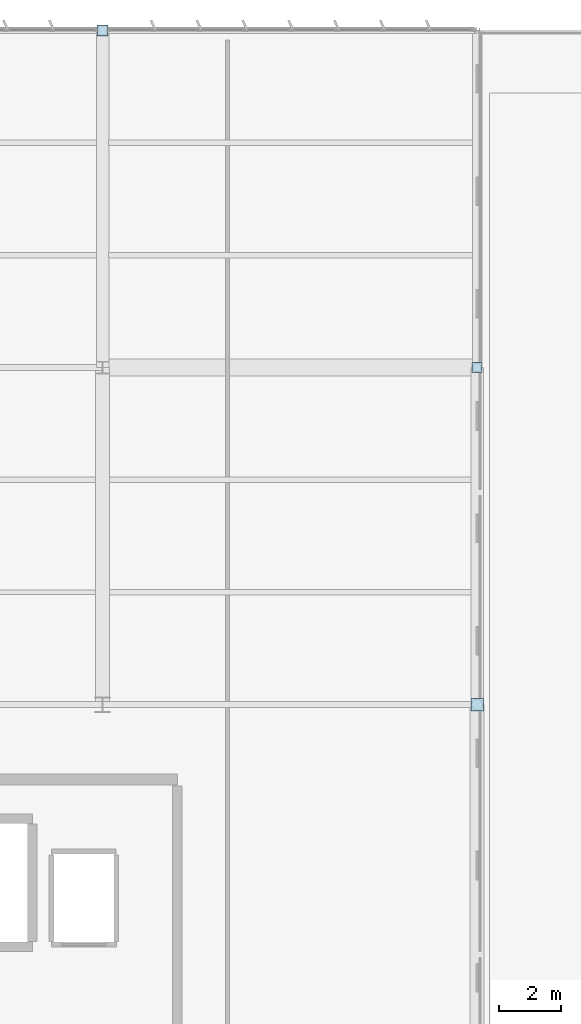
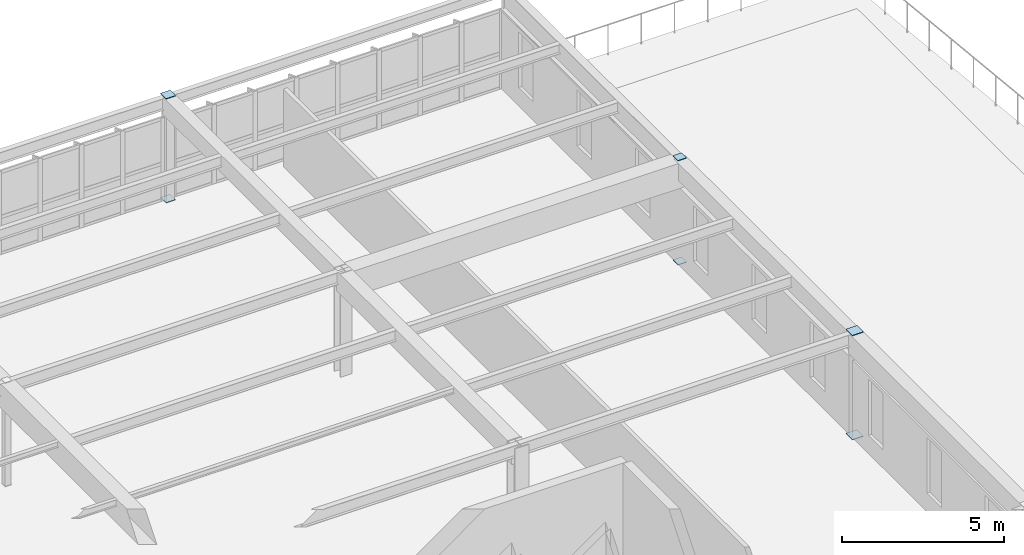
# One storey, part 100 of 128: 6 plates.
"""IFC4 building model written with IfcOpenShell, lengths in metres."""

from ifc_helpers import new_model, si_unit, direction, frame, origin, origin_2d, place, context, subcontext, project, spatial, rectangle, extrude, material, layer, layer_set, type_object, element, save


model = new_model("IFC4")

# Units and contexts
model_context = context("Model", 3, precision=1e-05, world=origin(), true_north=direction((0.0, 1.0)))
body_context = subcontext(model_context, "Body", "Model", "MODEL_VIEW")
ifc_project = project(units=[si_unit("LENGTHUNIT", "METRE"), si_unit("AREAUNIT", "SQUARE_METRE"), si_unit("VOLUMEUNIT", "CUBIC_METRE"), si_unit("PLANEANGLEUNIT", "RADIAN"), si_unit("MASSUNIT", "GRAM", prefix="KILO")], contexts=[model_context])

# Site, building, storey
site_placement = place(None, origin())
site = spatial("IfcSite", under=ifc_project, at=site_placement, CompositionType="ELEMENT")
building_placement = place(site_placement, origin())
building = spatial("IfcBuilding", under=site, at=building_placement, Name="Tarnwether General Hospital", CompositionType="ELEMENT")
storey_placement = place(building_placement, frame((0.0, 0.0, 14.39990234375)))
storey = spatial("IfcBuildingStorey", under=building, at=storey_placement, Name="L03", CompositionType="ELEMENT", Elevation=14.39990234375)

# Plates
ifc_material = material(Name="Steel Grade 350 (350 MPa)", Category="steel")
ifc_layer = layer(ifc_material, 0.02490234375)
ifc_layer_set = layer_set([ifc_layer], Name="Steel Grade 350 (350 MPa)")
plate_type = type_object("IfcPlateType", Name="PT-GUS2", PredefinedType="USERDEFINED", material=ifc_layer_set)
for number, where, z_axis, x_axis, name in (
    (1, (168.0, 126.0, -0.02490234375), (0.0, 0.0, 1.0), (1.0, 0.0, 0.0), "Hollow Section Welded End Cap Plate 0377"),
    (2, (168.0, 126.0, 3.900146484375), (0.0, 0.0, 1.0), (1.0, 0.0, 0.0), "Hollow Section Welded End Cap Plate 0378"),
):
    element("IfcPlate", number, at=place(storey_placement, frame(where, z_axis=z_axis, x_axis=x_axis)), inside=storey, type_object=plate_type, Name=name, ObjectType="GUSSET", PredefinedType="USERDEFINED", context=body_context, shape_type="SweptSolid", body=[
        extrude(rectangle(XDim=0.340087890625, YDim=0.340087890625, at=origin_2d()), origin(), (0.0, 0.0, 1.0), 0.02490234375),
    ])
for number, where, z_axis, x_axis, name in (
    (3, (180.0, 104.39990234375, -0.02490234375), (0.0, 0.0, 1.0), (1.0, 0.0, 0.0), "Hollow Section Welded End Cap Plate 0387"),
    (4, (180.0, 104.39990234375, 3.900146484375), (0.0, 0.0, 1.0), (1.0, 0.0, 0.0), "Hollow Section Welded End Cap Plate 0388"),
):
    element("IfcPlate", number, at=place(storey_placement, frame(where, z_axis=z_axis, x_axis=x_axis)), inside=storey, type_object=plate_type, Name=name, ObjectType="GUSSET", PredefinedType="USERDEFINED", context=body_context, shape_type="SweptSolid", body=[
        extrude(rectangle(XDim=0.39599609375, YDim=0.39599609375, at=origin_2d()), origin(), (0.0, 0.0, 1.0), 0.02490234375),
    ])
for number, where, z_axis, x_axis, name in (
    (5, (180.0, 115.199951171875, -0.02490234375), (0.0, 0.0, 1.0), (1.0, 0.0, 0.0), "Hollow Section Welded End Cap Plate 0393"),
    (6, (180.0, 115.199951171875, 3.900146484375), (0.0, 0.0, 1.0), (1.0, 0.0, 0.0), "Hollow Section Welded End Cap Plate 0394"),
):
    element("IfcPlate", number, at=place(storey_placement, frame(where, z_axis=z_axis, x_axis=x_axis)), inside=storey, type_object=plate_type, Name=name, ObjectType="GUSSET", PredefinedType="USERDEFINED", context=body_context, shape_type="SweptSolid", body=[
        extrude(rectangle(XDim=0.31298828125, YDim=0.31298828125, at=origin_2d()), origin(), (0.0, 0.0, 1.0), 0.02490234375),
    ])

save(model, "model.ifc")
